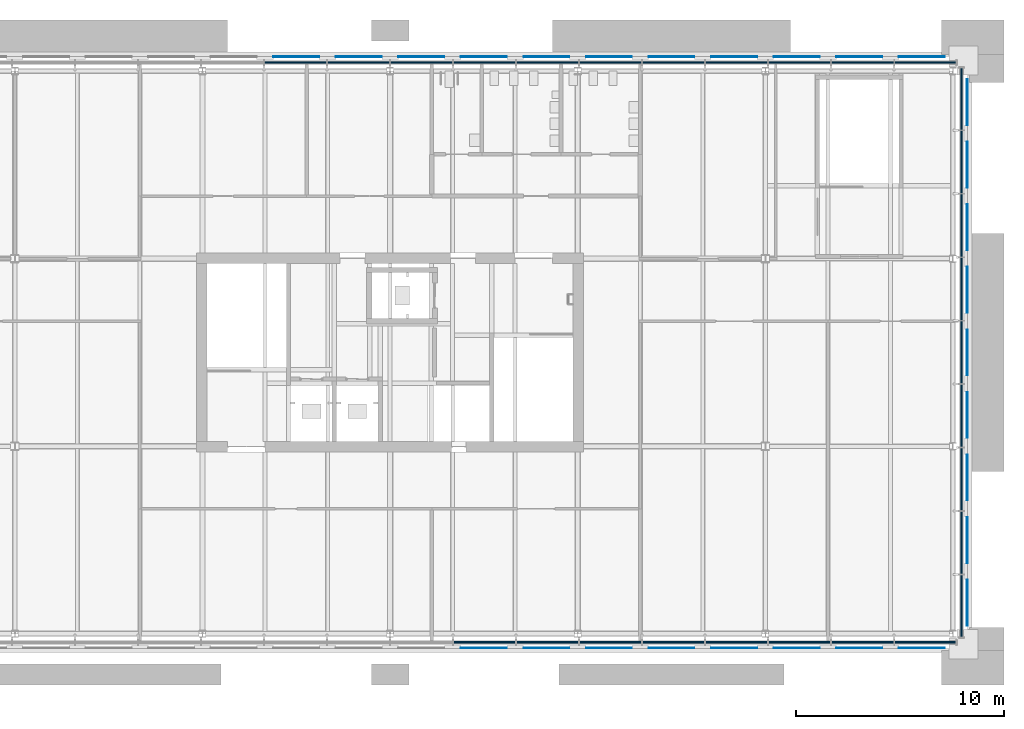
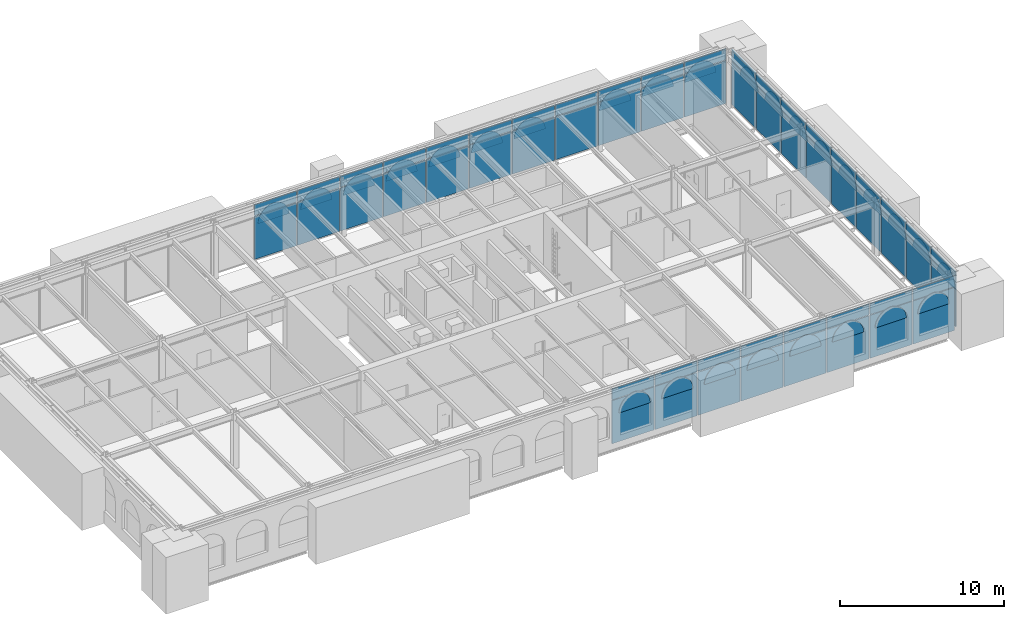
# One storey, part 11 of 24: 84 plates, 3 elements without a shape of their own.
"""IFC4 building model written with IfcOpenShell, lengths in metres."""

from ifc_helpers import new_model, si_unit, direction, frame, origin, origin_2d, place, context, subcontext, project, spatial, polyline, rectangle, outline, extrude, material, layer, layer_set, type_object, element, aggregate, save


model = new_model("IFC4")

# Units and contexts
model_context = context("Model", 3, precision=1e-05, world=origin(), true_north=direction((0.0, 1.0)))
body_context = subcontext(model_context, "Body", "Model", "MODEL_VIEW")
ifc_project = project(units=[si_unit("LENGTHUNIT", "METRE"), si_unit("AREAUNIT", "SQUARE_METRE"), si_unit("VOLUMEUNIT", "CUBIC_METRE"), si_unit("PLANEANGLEUNIT", "RADIAN"), si_unit("MASSUNIT", "GRAM", prefix="KILO")], contexts=[model_context])

# Site, building, storey
site_placement = place(None, origin())
site = spatial("IfcSite", under=ifc_project, at=site_placement, CompositionType="ELEMENT")
building_placement = place(site_placement, origin())
building = spatial("IfcBuilding", under=site, at=building_placement, Name="Baradari Gate Terminus", CompositionType="ELEMENT")
storey_placement = place(building_placement, frame((0.0, 0.0, 32.699951171875)))
storey = spatial("IfcBuildingStorey", under=building, at=storey_placement, Name="L07", CompositionType="ELEMENT", Elevation=32.699951171875)

# Plates
ifc_material_1 = material(Name="Insulating glass unit", Category="glass")
ifc_layer_1 = layer(ifc_material_1, 0.0400390625)
ifc_layer_set_1 = layer_set([ifc_layer_1], Name="Insulating glass unit")
plate_type_1 = type_object("IfcPlateType", Name="Arch head glazing CP-AH 40", PredefinedType="SHEET", material=ifc_layer_set_1)
for number, where, z_axis, x_axis, name in (
    (1, (39.39990234375, 116.320068359375, 2.400146484375), (0.0, 0.0, 1.0), (1.0, 0.0, 0.0), "Arch head glazing CP-AH L07 S face 11"),
    (2, (42.39990234375, 116.320068359375, 2.400146484375), (0.0, 0.0, 1.0), (1.0, 0.0, 0.0), "Arch head glazing CP-AH L07 S face 12"),
    (3, (45.39990234375, 116.320068359375, 2.400146484375), (0.0, 0.0, 1.0), (1.0, 0.0, 0.0), "Arch head glazing CP-AH L07 S face 13"),
    (4, (48.39990234375, 116.320068359375, 2.400146484375), (0.0, 0.0, 1.0), (1.0, 0.0, 0.0), "Arch head glazing CP-AH L07 S face 14"),
    (5, (51.39990234375, 116.320068359375, 2.400146484375), (0.0, 0.0, 1.0), (1.0, 0.0, 0.0), "Arch head glazing CP-AH L07 S face 15"),
    (6, (54.39990234375, 116.320068359375, 2.400146484375), (0.0, 0.0, 1.0), (1.0, 0.0, 0.0), "Arch head glazing CP-AH L07 S face 16"),
    (7, (57.39990234375, 116.320068359375, 2.400146484375), (0.0, 0.0, 1.0), (1.0, 0.0, 0.0), "Arch head glazing CP-AH L07 S face 17"),
    (8, (60.39990234375, 116.320068359375, 2.400146484375), (0.0, 0.0, 1.0), (1.0, 0.0, 0.0), "Arch head glazing CP-AH L07 S face 18"),
    (9, (63.679931640625, 117.39990234375, 2.400146484375), (0.0, 0.0, 1.0), (0.0, 1.0, 0.0), "Arch head glazing CP-AH L07 E face 1"),
    (10, (63.679931640625, 120.39990234375, 2.400146484375), (0.0, 0.0, 1.0), (0.0, 1.0, 0.0), "Arch head glazing CP-AH L07 E face 2"),
    (11, (63.679931640625, 123.39990234375, 2.400146484375), (0.0, 0.0, 1.0), (0.0, 1.0, 0.0), "Arch head glazing CP-AH L07 E face 3"),
    (12, (63.679931640625, 126.39990234375, 2.400146484375), (0.0, 0.0, 1.0), (0.0, 1.0, 0.0), "Arch head glazing CP-AH L07 E face 4"),
    (13, (63.679931640625, 129.39990234375, 2.400146484375), (0.0, 0.0, 1.0), (0.0, 1.0, 0.0), "Arch head glazing CP-AH L07 E face 5"),
    (14, (63.679931640625, 132.39990234375, 2.400146484375), (0.0, 0.0, 1.0), (0.0, 1.0, 0.0), "Arch head glazing CP-AH L07 E face 6"),
    (15, (63.679931640625, 135.39990234375, 2.400146484375), (0.0, 0.0, 1.0), (0.0, 1.0, 0.0), "Arch head glazing CP-AH L07 E face 7"),
    (16, (63.679931640625, 138.39990234375, 2.400146484375), (0.0, 0.0, 1.0), (0.0, 1.0, 0.0), "Arch head glazing CP-AH L07 E face 8"),
    (17, (63.679931640625, 141.39990234375, 2.400146484375), (0.0, 0.0, 1.0), (0.0, 1.0, 0.0), "Arch head glazing CP-AH L07 E face 9"),
    (18, (62.60009765625, 144.679931640625, 2.400146484375), (0.0, 0.0, 1.0), (-1.0, 0.0, 0.0), "Arch head glazing CP-AH L07 N face 1"),
    (19, (59.60009765625, 144.679931640625, 2.400146484375), (0.0, 0.0, 1.0), (-1.0, 0.0, 0.0), "Arch head glazing CP-AH L07 N face 2"),
    (20, (56.60009765625, 144.679931640625, 2.400146484375), (0.0, 0.0, 1.0), (-1.0, 0.0, 0.0), "Arch head glazing CP-AH L07 N face 3"),
    (21, (53.60009765625, 144.679931640625, 2.400146484375), (0.0, 0.0, 1.0), (-1.0, 0.0, 0.0), "Arch head glazing CP-AH L07 N face 4"),
    (22, (50.60009765625, 144.679931640625, 2.400146484375), (0.0, 0.0, 1.0), (-1.0, 0.0, 0.0), "Arch head glazing CP-AH L07 N face 5"),
    (23, (47.60009765625, 144.679931640625, 2.400146484375), (0.0, 0.0, 1.0), (-1.0, 0.0, 0.0), "Arch head glazing CP-AH L07 N face 6"),
    (24, (44.60009765625, 144.679931640625, 2.400146484375), (0.0, 0.0, 1.0), (-1.0, 0.0, 0.0), "Arch head glazing CP-AH L07 N face 7"),
    (25, (41.60009765625, 144.679931640625, 2.400146484375), (0.0, 0.0, 1.0), (-1.0, 0.0, 0.0), "Arch head glazing CP-AH L07 N face 8"),
    (26, (38.60009765625, 144.679931640625, 2.400146484375), (0.0, 0.0, 1.0), (-1.0, 0.0, 0.0), "Arch head glazing CP-AH L07 N face 9"),
    (27, (35.60009765625, 144.679931640625, 2.400146484375), (0.0, 0.0, 1.0), (-1.0, 0.0, 0.0), "Arch head glazing CP-AH L07 N face 10"),
    (28, (32.60009765625, 144.679931640625, 2.400146484375), (0.0, 0.0, 1.0), (-1.0, 0.0, 0.0), "Arch head glazing CP-AH L07 N face 11"),
):
    element("IfcPlate", number, at=place(storey_placement, frame(where, z_axis=z_axis, x_axis=x_axis)), inside=storey, type_object=plate_type_1, Name=name, PredefinedType="SHEET", context=body_context, shape_type="SweptSolid", body=[
        extrude(outline(polyline([(0.0, 0.0), (2.199951171875, 0.0), (2.19091796875, 0.1484375), (2.163330078125, 0.294677734375), (2.1181640625, 0.4365234375), (2.0556640625, 0.57177734375), (1.97705078125, 0.697998046875), (1.88330078125, 0.81396484375), (1.776123046875, 0.917236328125), (1.6572265625, 1.00634765625), (1.52783203125, 1.080322265625), (1.390625, 1.1376953125), (1.247314453125, 1.177734375), (1.10009765625, 1.199951171875), (0.952880859375, 1.177734375), (0.809326171875, 1.1376953125), (0.672119140625, 1.080322265625), (0.54296875, 1.00634765625), (0.423828125, 0.917236328125), (0.316650390625, 0.81396484375), (0.222900390625, 0.697998046875), (0.144287109375, 0.57177734375), (0.08203125, 0.4365234375), (0.03662109375, 0.294677734375), (0.00927734375, 0.1484375), (0.0, 0.0)])), frame((0.0, 0.02001953125, 0.0), z_axis=(0.0, -1.0, 0.0), x_axis=(1.0, 0.0, 0.0)), (0.0, 0.0, 1.0), 0.0400390625),
    ])

# Curtain wall, plates
ifc_material_2 = material(Name="Aluminium 6063-T6", Category="aluminium")
curtain_wall_type = type_object("IfcCurtainWallType", Name="Curtain wall CW-12 block arcade floors, L06-L07", PredefinedType="NOTDEFINED", material=ifc_material_2)
curtain_wall_1_placement = place(storey_placement, origin())
curtain_wall_1 = element("IfcCurtainWall", 29, at=curtain_wall_1_placement, inside=storey, type_object=curtain_wall_type, Name="Curtain wall CW-12 Operations block S face L07", PredefinedType="NOTDEFINED")
ifc_material_3 = material(Name="Insulating glass unit", Category="glass")
ifc_layer_2 = layer(ifc_material_3, 0.06005859375)
ifc_layer_set_2 = layer_set([ifc_layer_2], Name="Insulating glass unit")
plate_type_2 = type_object("IfcPlateType", Name="Curtain wall glazing unit CP-12 60", PredefinedType="CURTAIN_PANEL", material=ifc_layer_set_2)
plate_1_placement = place(storey_placement, frame((40.533447265625, 116.592529296875, 0.06494140625), z_axis=(0.0, 0.0, 1.0), x_axis=(1.0, 0.0, 0.0)))
plate_1 = element("IfcPlate", 30, at=plate_1_placement, type_object=plate_type_2, Name="CW-12 panel 11.1", PredefinedType="CURTAIN_PANEL", context=body_context, shape_type="SweptSolid", body=[
    extrude(rectangle(XDim=2.957275390625, YDim=0.06005859375, at=origin_2d()), origin(), (0.0, 0.0, 1.0), 3.202392578125),
])
plate_2_placement = place(storey_placement, frame((43.5556640625, 116.592529296875, 0.06494140625), z_axis=(0.0, 0.0, 1.0), x_axis=(1.0, 0.0, 0.0)))
plate_2 = element("IfcPlate", 31, at=plate_2_placement, type_object=plate_type_2, Name="CW-12 panel 12.1", PredefinedType="CURTAIN_PANEL", context=body_context, shape_type="SweptSolid", body=[
    extrude(rectangle(XDim=2.957275390625, YDim=0.06005859375, at=origin_2d()), origin(), (0.0, 0.0, 1.0), 3.202392578125),
])
plate_3_placement = place(storey_placement, frame((46.577880859375, 116.592529296875, 0.06494140625), z_axis=(0.0, 0.0, 1.0), x_axis=(1.0, 0.0, 0.0)))
plate_3 = element("IfcPlate", 32, at=plate_3_placement, type_object=plate_type_2, Name="CW-12 panel 13.1", PredefinedType="CURTAIN_PANEL", context=body_context, shape_type="SweptSolid", body=[
    extrude(rectangle(XDim=2.957275390625, YDim=0.06005859375, at=origin_2d()), origin(), (0.0, 0.0, 1.0), 3.202392578125),
])
plate_4_placement = place(storey_placement, frame((49.60009765625, 116.592529296875, 0.06494140625), z_axis=(0.0, 0.0, 1.0), x_axis=(1.0, 0.0, 0.0)))
plate_4 = element("IfcPlate", 33, at=plate_4_placement, type_object=plate_type_2, Name="CW-12 panel 14.1", PredefinedType="CURTAIN_PANEL", context=body_context, shape_type="SweptSolid", body=[
    extrude(rectangle(XDim=2.957275390625, YDim=0.06005859375, at=origin_2d()), origin(), (0.0, 0.0, 1.0), 3.202392578125),
])
plate_5_placement = place(storey_placement, frame((52.622314453125, 116.592529296875, 0.06494140625), z_axis=(0.0, 0.0, 1.0), x_axis=(1.0, 0.0, 0.0)))
plate_5 = element("IfcPlate", 34, at=plate_5_placement, type_object=plate_type_2, Name="CW-12 panel 15.1", PredefinedType="CURTAIN_PANEL", context=body_context, shape_type="SweptSolid", body=[
    extrude(rectangle(XDim=2.957275390625, YDim=0.06005859375, at=origin_2d()), origin(), (0.0, 0.0, 1.0), 3.202392578125),
])
plate_6_placement = place(storey_placement, frame((55.64453125, 116.592529296875, 0.06494140625), z_axis=(0.0, 0.0, 1.0), x_axis=(1.0, 0.0, 0.0)))
plate_6 = element("IfcPlate", 35, at=plate_6_placement, type_object=plate_type_2, Name="CW-12 panel 16.1", PredefinedType="CURTAIN_PANEL", context=body_context, shape_type="SweptSolid", body=[
    extrude(rectangle(XDim=2.957275390625, YDim=0.06005859375, at=origin_2d()), origin(), (0.0, 0.0, 1.0), 3.202392578125),
])
plate_7_placement = place(storey_placement, frame((58.666748046875, 116.592529296875, 0.06494140625), z_axis=(0.0, 0.0, 1.0), x_axis=(1.0, 0.0, 0.0)))
plate_7 = element("IfcPlate", 36, at=plate_7_placement, type_object=plate_type_2, Name="CW-12 panel 17.1", PredefinedType="CURTAIN_PANEL", context=body_context, shape_type="SweptSolid", body=[
    extrude(rectangle(XDim=2.957275390625, YDim=0.06005859375, at=origin_2d()), origin(), (0.0, 0.0, 1.0), 3.202392578125),
])
plate_8_placement = place(storey_placement, frame((61.672607421875, 116.592529296875, 0.06494140625), z_axis=(0.0, 0.0, 1.0), x_axis=(1.0, 0.0, 0.0)))
plate_8 = element("IfcPlate", 37, at=plate_8_placement, type_object=plate_type_2, Name="CW-12 panel 18.1", PredefinedType="CURTAIN_PANEL", context=body_context, shape_type="SweptSolid", body=[
    extrude(rectangle(XDim=2.9248046875, YDim=0.06005859375, at=origin_2d()), origin(), (0.0, 0.0, 1.0), 3.202392578125),
])

curtain_wall_2_placement = place(storey_placement, origin())
curtain_wall_2 = element("IfcCurtainWall", 38, at=curtain_wall_2_placement, inside=storey, type_object=curtain_wall_type, Name="Curtain wall CW-12 Operations block E face L07", PredefinedType="NOTDEFINED")
plate_9_placement = place(storey_placement, frame((63.407470703125, 118.33837890625, 0.06494140625), z_axis=(0.0, 0.0, 1.0), x_axis=(0.0, 1.0, 0.0)))
plate_9 = element("IfcPlate", 39, at=plate_9_placement, type_object=plate_type_2, Name="CW-12 panel 1.1", PredefinedType="CURTAIN_PANEL", context=body_context, shape_type="SweptSolid", body=[
    extrude(rectangle(XDim=2.947021484375, YDim=0.06005859375, at=origin_2d()), origin(), (0.0, 0.0, 1.0), 3.202392578125),
])
plate_10_placement = place(storey_placement, frame((63.407470703125, 121.36669921875, 0.06494140625), z_axis=(0.0, 0.0, 1.0), x_axis=(0.0, 1.0, 0.0)))
plate_10 = element("IfcPlate", 40, at=plate_10_placement, type_object=plate_type_2, Name="CW-12 panel 2.1", PredefinedType="CURTAIN_PANEL", context=body_context, shape_type="SweptSolid", body=[
    extrude(rectangle(XDim=2.9794921875, YDim=0.06005859375, at=origin_2d()), origin(), (0.0, 0.0, 1.0), 3.202392578125),
])
plate_11_placement = place(storey_placement, frame((63.407470703125, 124.4111328125, 0.06494140625), z_axis=(0.0, 0.0, 1.0), x_axis=(0.0, 1.0, 0.0)))
plate_11 = element("IfcPlate", 41, at=plate_11_placement, type_object=plate_type_2, Name="CW-12 panel 3.1", PredefinedType="CURTAIN_PANEL", context=body_context, shape_type="SweptSolid", body=[
    extrude(rectangle(XDim=2.9794921875, YDim=0.06005859375, at=origin_2d()), origin(), (0.0, 0.0, 1.0), 3.202392578125),
])
plate_12_placement = place(storey_placement, frame((63.407470703125, 127.45556640625, 0.06494140625), z_axis=(0.0, 0.0, 1.0), x_axis=(0.0, 1.0, 0.0)))
plate_12 = element("IfcPlate", 42, at=plate_12_placement, type_object=plate_type_2, Name="CW-12 panel 4.1", PredefinedType="CURTAIN_PANEL", context=body_context, shape_type="SweptSolid", body=[
    extrude(rectangle(XDim=2.9794921875, YDim=0.06005859375, at=origin_2d()), origin(), (0.0, 0.0, 1.0), 3.202392578125),
])
plate_13_placement = place(storey_placement, frame((63.407470703125, 130.5, 0.06494140625), z_axis=(0.0, 0.0, 1.0), x_axis=(0.0, 1.0, 0.0)))
plate_13 = element("IfcPlate", 43, at=plate_13_placement, type_object=plate_type_2, Name="CW-12 panel 5.1", PredefinedType="CURTAIN_PANEL", context=body_context, shape_type="SweptSolid", body=[
    extrude(rectangle(XDim=2.9794921875, YDim=0.06005859375, at=origin_2d()), origin(), (0.0, 0.0, 1.0), 3.202392578125),
])
plate_14_placement = place(storey_placement, frame((63.407470703125, 133.54443359375, 0.06494140625), z_axis=(0.0, 0.0, 1.0), x_axis=(0.0, 1.0, 0.0)))
plate_14 = element("IfcPlate", 44, at=plate_14_placement, type_object=plate_type_2, Name="CW-12 panel 6.1", PredefinedType="CURTAIN_PANEL", context=body_context, shape_type="SweptSolid", body=[
    extrude(rectangle(XDim=2.9794921875, YDim=0.06005859375, at=origin_2d()), origin(), (0.0, 0.0, 1.0), 3.202392578125),
])
plate_15_placement = place(storey_placement, frame((63.407470703125, 136.5888671875, 0.06494140625), z_axis=(0.0, 0.0, 1.0), x_axis=(0.0, 1.0, 0.0)))
plate_15 = element("IfcPlate", 45, at=plate_15_placement, type_object=plate_type_2, Name="CW-12 panel 7.1", PredefinedType="CURTAIN_PANEL", context=body_context, shape_type="SweptSolid", body=[
    extrude(rectangle(XDim=2.9794921875, YDim=0.06005859375, at=origin_2d()), origin(), (0.0, 0.0, 1.0), 3.202392578125),
])
plate_16_placement = place(storey_placement, frame((63.407470703125, 139.63330078125, 0.06494140625), z_axis=(0.0, 0.0, 1.0), x_axis=(0.0, 1.0, 0.0)))
plate_16 = element("IfcPlate", 46, at=plate_16_placement, type_object=plate_type_2, Name="CW-12 panel 8.1", PredefinedType="CURTAIN_PANEL", context=body_context, shape_type="SweptSolid", body=[
    extrude(rectangle(XDim=2.9794921875, YDim=0.06005859375, at=origin_2d()), origin(), (0.0, 0.0, 1.0), 3.202392578125),
])
plate_17_placement = place(storey_placement, frame((63.407470703125, 142.66162109375, 0.06494140625), z_axis=(0.0, 0.0, 1.0), x_axis=(0.0, 1.0, 0.0)))
plate_17 = element("IfcPlate", 47, at=plate_17_placement, type_object=plate_type_2, Name="CW-12 panel 9.1", PredefinedType="CURTAIN_PANEL", context=body_context, shape_type="SweptSolid", body=[
    extrude(rectangle(XDim=2.947021484375, YDim=0.06005859375, at=origin_2d()), origin(), (0.0, 0.0, 1.0), 3.202392578125),
])

curtain_wall_3_placement = place(storey_placement, origin())
curtain_wall_3 = element("IfcCurtainWall", 48, at=curtain_wall_3_placement, inside=storey, type_object=curtain_wall_type, Name="Curtain wall CW-12 Operations block N face L07", PredefinedType="NOTDEFINED")
plate_18_placement = place(storey_placement, frame((61.672607421875, 144.407470703125, 0.06494140625), z_axis=(0.0, 0.0, 1.0), x_axis=(-1.0, 0.0, 0.0)))
plate_18 = element("IfcPlate", 49, at=plate_18_placement, type_object=plate_type_2, Name="CW-12 panel 1.1", PredefinedType="CURTAIN_PANEL", context=body_context, shape_type="SweptSolid", body=[
    extrude(rectangle(XDim=2.9248046875, YDim=0.06005859375, at=origin_2d()), origin(), (0.0, 0.0, 1.0), 3.202392578125),
])
plate_19_placement = place(storey_placement, frame((58.666748046875, 144.407470703125, 0.06494140625), z_axis=(0.0, 0.0, 1.0), x_axis=(-1.0, 0.0, 0.0)))
plate_19 = element("IfcPlate", 50, at=plate_19_placement, type_object=plate_type_2, Name="CW-12 panel 2.1", PredefinedType="CURTAIN_PANEL", context=body_context, shape_type="SweptSolid", body=[
    extrude(rectangle(XDim=2.957275390625, YDim=0.06005859375, at=origin_2d()), origin(), (0.0, 0.0, 1.0), 3.202392578125),
])
plate_20_placement = place(storey_placement, frame((55.64453125, 144.407470703125, 0.06494140625), z_axis=(0.0, 0.0, 1.0), x_axis=(-1.0, 0.0, 0.0)))
plate_20 = element("IfcPlate", 51, at=plate_20_placement, type_object=plate_type_2, Name="CW-12 panel 3.1", PredefinedType="CURTAIN_PANEL", context=body_context, shape_type="SweptSolid", body=[
    extrude(rectangle(XDim=2.957275390625, YDim=0.06005859375, at=origin_2d()), origin(), (0.0, 0.0, 1.0), 3.202392578125),
])
plate_21_placement = place(storey_placement, frame((52.622314453125, 144.407470703125, 0.06494140625), z_axis=(0.0, 0.0, 1.0), x_axis=(-1.0, 0.0, 0.0)))
plate_21 = element("IfcPlate", 52, at=plate_21_placement, type_object=plate_type_2, Name="CW-12 panel 4.1", PredefinedType="CURTAIN_PANEL", context=body_context, shape_type="SweptSolid", body=[
    extrude(rectangle(XDim=2.957275390625, YDim=0.06005859375, at=origin_2d()), origin(), (0.0, 0.0, 1.0), 3.202392578125),
])
plate_22_placement = place(storey_placement, frame((49.60009765625, 144.407470703125, 0.06494140625), z_axis=(0.0, 0.0, 1.0), x_axis=(-1.0, 0.0, 0.0)))
plate_22 = element("IfcPlate", 53, at=plate_22_placement, type_object=plate_type_2, Name="CW-12 panel 5.1", PredefinedType="CURTAIN_PANEL", context=body_context, shape_type="SweptSolid", body=[
    extrude(rectangle(XDim=2.957275390625, YDim=0.06005859375, at=origin_2d()), origin(), (0.0, 0.0, 1.0), 3.202392578125),
])
plate_23_placement = place(storey_placement, frame((46.577880859375, 144.407470703125, 0.06494140625), z_axis=(0.0, 0.0, 1.0), x_axis=(-1.0, 0.0, 0.0)))
plate_23 = element("IfcPlate", 54, at=plate_23_placement, type_object=plate_type_2, Name="CW-12 panel 6.1", PredefinedType="CURTAIN_PANEL", context=body_context, shape_type="SweptSolid", body=[
    extrude(rectangle(XDim=2.957275390625, YDim=0.06005859375, at=origin_2d()), origin(), (0.0, 0.0, 1.0), 3.202392578125),
])
plate_24_placement = place(storey_placement, frame((43.5556640625, 144.407470703125, 0.06494140625), z_axis=(0.0, 0.0, 1.0), x_axis=(-1.0, 0.0, 0.0)))
plate_24 = element("IfcPlate", 55, at=plate_24_placement, type_object=plate_type_2, Name="CW-12 panel 7.1", PredefinedType="CURTAIN_PANEL", context=body_context, shape_type="SweptSolid", body=[
    extrude(rectangle(XDim=2.957275390625, YDim=0.06005859375, at=origin_2d()), origin(), (0.0, 0.0, 1.0), 3.202392578125),
])
plate_25_placement = place(storey_placement, frame((40.533447265625, 144.407470703125, 0.06494140625), z_axis=(0.0, 0.0, 1.0), x_axis=(-1.0, 0.0, 0.0)))
plate_25 = element("IfcPlate", 56, at=plate_25_placement, type_object=plate_type_2, Name="CW-12 panel 8.1", PredefinedType="CURTAIN_PANEL", context=body_context, shape_type="SweptSolid", body=[
    extrude(rectangle(XDim=2.957275390625, YDim=0.06005859375, at=origin_2d()), origin(), (0.0, 0.0, 1.0), 3.202392578125),
])
plate_26_placement = place(storey_placement, frame((37.51123046875, 144.407470703125, 0.06494140625), z_axis=(0.0, 0.0, 1.0), x_axis=(-1.0, 0.0, 0.0)))
plate_26 = element("IfcPlate", 57, at=plate_26_placement, type_object=plate_type_2, Name="CW-12 panel 9.1", PredefinedType="CURTAIN_PANEL", context=body_context, shape_type="SweptSolid", body=[
    extrude(rectangle(XDim=2.957275390625, YDim=0.06005859375, at=origin_2d()), origin(), (0.0, 0.0, 1.0), 3.202392578125),
])
plate_27_placement = place(storey_placement, frame((34.48876953125, 144.407470703125, 0.06494140625), z_axis=(0.0, 0.0, 1.0), x_axis=(-1.0, 0.0, 0.0)))
plate_27 = element("IfcPlate", 58, at=plate_27_placement, type_object=plate_type_2, Name="CW-12 panel 10.1", PredefinedType="CURTAIN_PANEL", context=body_context, shape_type="SweptSolid", body=[
    extrude(rectangle(XDim=2.957275390625, YDim=0.06005859375, at=origin_2d()), origin(), (0.0, 0.0, 1.0), 3.202392578125),
])
plate_28_placement = place(storey_placement, frame((31.466552734375, 144.407470703125, 0.06494140625), z_axis=(0.0, 0.0, 1.0), x_axis=(-1.0, 0.0, 0.0)))
plate_28 = element("IfcPlate", 59, at=plate_28_placement, type_object=plate_type_2, Name="CW-12 panel 11.1", PredefinedType="CURTAIN_PANEL", context=body_context, shape_type="SweptSolid", body=[
    extrude(rectangle(XDim=2.957275390625, YDim=0.06005859375, at=origin_2d()), origin(), (0.0, 0.0, 1.0), 3.202392578125),
])

# Plate
ifc_material_4 = material(Name="Back-painted glass", Category="glass")
ifc_layer_3 = layer(ifc_material_4, 0.090087890625)
ifc_layer_set_3 = layer_set([ifc_layer_3], Name="Back-painted glass")
plate_type_3 = type_object("IfcPlateType", Name="Curtain wall spandrel panel CP-S12 90", PredefinedType="CURTAIN_PANEL", material=ifc_layer_set_3)
plate_29_placement = place(storey_placement, frame((40.533447265625, 116.592529296875, 3.33251953125), z_axis=(0.0, 0.0, 1.0), x_axis=(1.0, 0.0, 0.0)))
plate_29 = element("IfcPlate", 60, at=plate_29_placement, type_object=plate_type_3, Name="CW-12 spandrel panel 11.2", PredefinedType="CURTAIN_PANEL", context=body_context, shape_type="SweptSolid", body=[
    extrude(rectangle(XDim=2.957275390625, YDim=0.090087890625, at=origin_2d()), origin(), (0.0, 0.0, 1.0), 0.802490234375),
])

plate_30_placement = place(storey_placement, frame((43.5556640625, 116.592529296875, 3.33251953125), z_axis=(0.0, 0.0, 1.0), x_axis=(1.0, 0.0, 0.0)))
plate_30 = element("IfcPlate", 61, at=plate_30_placement, type_object=plate_type_3, Name="CW-12 spandrel panel 12.2", PredefinedType="CURTAIN_PANEL", context=body_context, shape_type="SweptSolid", body=[
    extrude(rectangle(XDim=2.957275390625, YDim=0.090087890625, at=origin_2d()), origin(), (0.0, 0.0, 1.0), 0.802490234375),
])

plate_31_placement = place(storey_placement, frame((46.577880859375, 116.592529296875, 3.33251953125), z_axis=(0.0, 0.0, 1.0), x_axis=(1.0, 0.0, 0.0)))
plate_31 = element("IfcPlate", 62, at=plate_31_placement, type_object=plate_type_3, Name="CW-12 spandrel panel 13.2", PredefinedType="CURTAIN_PANEL", context=body_context, shape_type="SweptSolid", body=[
    extrude(rectangle(XDim=2.957275390625, YDim=0.090087890625, at=origin_2d()), origin(), (0.0, 0.0, 1.0), 0.802490234375),
])

plate_32_placement = place(storey_placement, frame((49.60009765625, 116.592529296875, 3.33251953125), z_axis=(0.0, 0.0, 1.0), x_axis=(1.0, 0.0, 0.0)))
plate_32 = element("IfcPlate", 63, at=plate_32_placement, type_object=plate_type_3, Name="CW-12 spandrel panel 14.2", PredefinedType="CURTAIN_PANEL", context=body_context, shape_type="SweptSolid", body=[
    extrude(rectangle(XDim=2.957275390625, YDim=0.090087890625, at=origin_2d()), origin(), (0.0, 0.0, 1.0), 0.802490234375),
])

plate_33_placement = place(storey_placement, frame((52.622314453125, 116.592529296875, 3.33251953125), z_axis=(0.0, 0.0, 1.0), x_axis=(1.0, 0.0, 0.0)))
plate_33 = element("IfcPlate", 64, at=plate_33_placement, type_object=plate_type_3, Name="CW-12 spandrel panel 15.2", PredefinedType="CURTAIN_PANEL", context=body_context, shape_type="SweptSolid", body=[
    extrude(rectangle(XDim=2.957275390625, YDim=0.090087890625, at=origin_2d()), origin(), (0.0, 0.0, 1.0), 0.802490234375),
])

plate_34_placement = place(storey_placement, frame((55.64453125, 116.592529296875, 3.33251953125), z_axis=(0.0, 0.0, 1.0), x_axis=(1.0, 0.0, 0.0)))
plate_34 = element("IfcPlate", 65, at=plate_34_placement, type_object=plate_type_3, Name="CW-12 spandrel panel 16.2", PredefinedType="CURTAIN_PANEL", context=body_context, shape_type="SweptSolid", body=[
    extrude(rectangle(XDim=2.957275390625, YDim=0.090087890625, at=origin_2d()), origin(), (0.0, 0.0, 1.0), 0.802490234375),
])

plate_35_placement = place(storey_placement, frame((58.666748046875, 116.592529296875, 3.33251953125), z_axis=(0.0, 0.0, 1.0), x_axis=(1.0, 0.0, 0.0)))
plate_35 = element("IfcPlate", 66, at=plate_35_placement, type_object=plate_type_3, Name="CW-12 spandrel panel 17.2", PredefinedType="CURTAIN_PANEL", context=body_context, shape_type="SweptSolid", body=[
    extrude(rectangle(XDim=2.957275390625, YDim=0.090087890625, at=origin_2d()), origin(), (0.0, 0.0, 1.0), 0.802490234375),
])

plate_36_placement = place(storey_placement, frame((61.672607421875, 116.592529296875, 3.33251953125), z_axis=(0.0, 0.0, 1.0), x_axis=(1.0, 0.0, 0.0)))
plate_36 = element("IfcPlate", 67, at=plate_36_placement, type_object=plate_type_3, Name="CW-12 spandrel panel 18.2", PredefinedType="CURTAIN_PANEL", context=body_context, shape_type="SweptSolid", body=[
    extrude(rectangle(XDim=2.9248046875, YDim=0.090087890625, at=origin_2d()), origin(), (0.0, 0.0, 1.0), 0.802490234375),
])

aggregate(curtain_wall_1, [plate_1, plate_29, plate_2, plate_30, plate_3, plate_31, plate_4, plate_32, plate_5, plate_33, plate_6, plate_34, plate_7, plate_35, plate_8, plate_36])

plate_37_placement = place(storey_placement, frame((63.407470703125, 118.33837890625, 3.33251953125), z_axis=(0.0, 0.0, 1.0), x_axis=(0.0, 1.0, 0.0)))
plate_37 = element("IfcPlate", 68, at=plate_37_placement, type_object=plate_type_3, Name="CW-12 spandrel panel 1.2", PredefinedType="CURTAIN_PANEL", context=body_context, shape_type="SweptSolid", body=[
    extrude(rectangle(XDim=2.947021484375, YDim=0.090087890625, at=origin_2d()), origin(), (0.0, 0.0, 1.0), 0.802490234375),
])

plate_38_placement = place(storey_placement, frame((63.407470703125, 121.36669921875, 3.33251953125), z_axis=(0.0, 0.0, 1.0), x_axis=(0.0, 1.0, 0.0)))
plate_38 = element("IfcPlate", 69, at=plate_38_placement, type_object=plate_type_3, Name="CW-12 spandrel panel 2.2", PredefinedType="CURTAIN_PANEL", context=body_context, shape_type="SweptSolid", body=[
    extrude(rectangle(XDim=2.9794921875, YDim=0.090087890625, at=origin_2d()), origin(), (0.0, 0.0, 1.0), 0.802490234375),
])

plate_39_placement = place(storey_placement, frame((63.407470703125, 124.4111328125, 3.33251953125), z_axis=(0.0, 0.0, 1.0), x_axis=(0.0, 1.0, 0.0)))
plate_39 = element("IfcPlate", 70, at=plate_39_placement, type_object=plate_type_3, Name="CW-12 spandrel panel 3.2", PredefinedType="CURTAIN_PANEL", context=body_context, shape_type="SweptSolid", body=[
    extrude(rectangle(XDim=2.9794921875, YDim=0.090087890625, at=origin_2d()), origin(), (0.0, 0.0, 1.0), 0.802490234375),
])

plate_40_placement = place(storey_placement, frame((63.407470703125, 127.45556640625, 3.33251953125), z_axis=(0.0, 0.0, 1.0), x_axis=(0.0, 1.0, 0.0)))
plate_40 = element("IfcPlate", 71, at=plate_40_placement, type_object=plate_type_3, Name="CW-12 spandrel panel 4.2", PredefinedType="CURTAIN_PANEL", context=body_context, shape_type="SweptSolid", body=[
    extrude(rectangle(XDim=2.9794921875, YDim=0.090087890625, at=origin_2d()), origin(), (0.0, 0.0, 1.0), 0.802490234375),
])

plate_41_placement = place(storey_placement, frame((63.407470703125, 130.5, 3.33251953125), z_axis=(0.0, 0.0, 1.0), x_axis=(0.0, 1.0, 0.0)))
plate_41 = element("IfcPlate", 72, at=plate_41_placement, type_object=plate_type_3, Name="CW-12 spandrel panel 5.2", PredefinedType="CURTAIN_PANEL", context=body_context, shape_type="SweptSolid", body=[
    extrude(rectangle(XDim=2.9794921875, YDim=0.090087890625, at=origin_2d()), origin(), (0.0, 0.0, 1.0), 0.802490234375),
])

plate_42_placement = place(storey_placement, frame((63.407470703125, 133.54443359375, 3.33251953125), z_axis=(0.0, 0.0, 1.0), x_axis=(0.0, 1.0, 0.0)))
plate_42 = element("IfcPlate", 73, at=plate_42_placement, type_object=plate_type_3, Name="CW-12 spandrel panel 6.2", PredefinedType="CURTAIN_PANEL", context=body_context, shape_type="SweptSolid", body=[
    extrude(rectangle(XDim=2.9794921875, YDim=0.090087890625, at=origin_2d()), origin(), (0.0, 0.0, 1.0), 0.802490234375),
])

plate_43_placement = place(storey_placement, frame((63.407470703125, 136.5888671875, 3.33251953125), z_axis=(0.0, 0.0, 1.0), x_axis=(0.0, 1.0, 0.0)))
plate_43 = element("IfcPlate", 74, at=plate_43_placement, type_object=plate_type_3, Name="CW-12 spandrel panel 7.2", PredefinedType="CURTAIN_PANEL", context=body_context, shape_type="SweptSolid", body=[
    extrude(rectangle(XDim=2.9794921875, YDim=0.090087890625, at=origin_2d()), origin(), (0.0, 0.0, 1.0), 0.802490234375),
])

plate_44_placement = place(storey_placement, frame((63.407470703125, 139.63330078125, 3.33251953125), z_axis=(0.0, 0.0, 1.0), x_axis=(0.0, 1.0, 0.0)))
plate_44 = element("IfcPlate", 75, at=plate_44_placement, type_object=plate_type_3, Name="CW-12 spandrel panel 8.2", PredefinedType="CURTAIN_PANEL", context=body_context, shape_type="SweptSolid", body=[
    extrude(rectangle(XDim=2.9794921875, YDim=0.090087890625, at=origin_2d()), origin(), (0.0, 0.0, 1.0), 0.802490234375),
])

plate_45_placement = place(storey_placement, frame((63.407470703125, 142.66162109375, 3.33251953125), z_axis=(0.0, 0.0, 1.0), x_axis=(0.0, 1.0, 0.0)))
plate_45 = element("IfcPlate", 76, at=plate_45_placement, type_object=plate_type_3, Name="CW-12 spandrel panel 9.2", PredefinedType="CURTAIN_PANEL", context=body_context, shape_type="SweptSolid", body=[
    extrude(rectangle(XDim=2.947021484375, YDim=0.090087890625, at=origin_2d()), origin(), (0.0, 0.0, 1.0), 0.802490234375),
])

aggregate(curtain_wall_2, [plate_9, plate_37, plate_10, plate_38, plate_11, plate_39, plate_12, plate_40, plate_13, plate_41, plate_14, plate_42, plate_15, plate_43, plate_16, plate_44, plate_17, plate_45])

plate_46_placement = place(storey_placement, frame((61.672607421875, 144.407470703125, 3.33251953125), z_axis=(0.0, 0.0, 1.0), x_axis=(-1.0, 0.0, 0.0)))
plate_46 = element("IfcPlate", 77, at=plate_46_placement, type_object=plate_type_3, Name="CW-12 spandrel panel 1.2", PredefinedType="CURTAIN_PANEL", context=body_context, shape_type="SweptSolid", body=[
    extrude(rectangle(XDim=2.9248046875, YDim=0.090087890625, at=origin_2d()), origin(), (0.0, 0.0, 1.0), 0.802490234375),
])

plate_47_placement = place(storey_placement, frame((58.666748046875, 144.407470703125, 3.33251953125), z_axis=(0.0, 0.0, 1.0), x_axis=(-1.0, 0.0, 0.0)))
plate_47 = element("IfcPlate", 78, at=plate_47_placement, type_object=plate_type_3, Name="CW-12 spandrel panel 2.2", PredefinedType="CURTAIN_PANEL", context=body_context, shape_type="SweptSolid", body=[
    extrude(rectangle(XDim=2.957275390625, YDim=0.090087890625, at=origin_2d()), origin(), (0.0, 0.0, 1.0), 0.802490234375),
])

plate_48_placement = place(storey_placement, frame((55.64453125, 144.407470703125, 3.33251953125), z_axis=(0.0, 0.0, 1.0), x_axis=(-1.0, 0.0, 0.0)))
plate_48 = element("IfcPlate", 79, at=plate_48_placement, type_object=plate_type_3, Name="CW-12 spandrel panel 3.2", PredefinedType="CURTAIN_PANEL", context=body_context, shape_type="SweptSolid", body=[
    extrude(rectangle(XDim=2.957275390625, YDim=0.090087890625, at=origin_2d()), origin(), (0.0, 0.0, 1.0), 0.802490234375),
])

plate_49_placement = place(storey_placement, frame((52.622314453125, 144.407470703125, 3.33251953125), z_axis=(0.0, 0.0, 1.0), x_axis=(-1.0, 0.0, 0.0)))
plate_49 = element("IfcPlate", 80, at=plate_49_placement, type_object=plate_type_3, Name="CW-12 spandrel panel 4.2", PredefinedType="CURTAIN_PANEL", context=body_context, shape_type="SweptSolid", body=[
    extrude(rectangle(XDim=2.957275390625, YDim=0.090087890625, at=origin_2d()), origin(), (0.0, 0.0, 1.0), 0.802490234375),
])

plate_50_placement = place(storey_placement, frame((49.60009765625, 144.407470703125, 3.33251953125), z_axis=(0.0, 0.0, 1.0), x_axis=(-1.0, 0.0, 0.0)))
plate_50 = element("IfcPlate", 81, at=plate_50_placement, type_object=plate_type_3, Name="CW-12 spandrel panel 5.2", PredefinedType="CURTAIN_PANEL", context=body_context, shape_type="SweptSolid", body=[
    extrude(rectangle(XDim=2.957275390625, YDim=0.090087890625, at=origin_2d()), origin(), (0.0, 0.0, 1.0), 0.802490234375),
])

plate_51_placement = place(storey_placement, frame((46.577880859375, 144.407470703125, 3.33251953125), z_axis=(0.0, 0.0, 1.0), x_axis=(-1.0, 0.0, 0.0)))
plate_51 = element("IfcPlate", 82, at=plate_51_placement, type_object=plate_type_3, Name="CW-12 spandrel panel 6.2", PredefinedType="CURTAIN_PANEL", context=body_context, shape_type="SweptSolid", body=[
    extrude(rectangle(XDim=2.957275390625, YDim=0.090087890625, at=origin_2d()), origin(), (0.0, 0.0, 1.0), 0.802490234375),
])

plate_52_placement = place(storey_placement, frame((43.5556640625, 144.407470703125, 3.33251953125), z_axis=(0.0, 0.0, 1.0), x_axis=(-1.0, 0.0, 0.0)))
plate_52 = element("IfcPlate", 83, at=plate_52_placement, type_object=plate_type_3, Name="CW-12 spandrel panel 7.2", PredefinedType="CURTAIN_PANEL", context=body_context, shape_type="SweptSolid", body=[
    extrude(rectangle(XDim=2.957275390625, YDim=0.090087890625, at=origin_2d()), origin(), (0.0, 0.0, 1.0), 0.802490234375),
])

plate_53_placement = place(storey_placement, frame((40.533447265625, 144.407470703125, 3.33251953125), z_axis=(0.0, 0.0, 1.0), x_axis=(-1.0, 0.0, 0.0)))
plate_53 = element("IfcPlate", 84, at=plate_53_placement, type_object=plate_type_3, Name="CW-12 spandrel panel 8.2", PredefinedType="CURTAIN_PANEL", context=body_context, shape_type="SweptSolid", body=[
    extrude(rectangle(XDim=2.957275390625, YDim=0.090087890625, at=origin_2d()), origin(), (0.0, 0.0, 1.0), 0.802490234375),
])

plate_54_placement = place(storey_placement, frame((37.51123046875, 144.407470703125, 3.33251953125), z_axis=(0.0, 0.0, 1.0), x_axis=(-1.0, 0.0, 0.0)))
plate_54 = element("IfcPlate", 85, at=plate_54_placement, type_object=plate_type_3, Name="CW-12 spandrel panel 9.2", PredefinedType="CURTAIN_PANEL", context=body_context, shape_type="SweptSolid", body=[
    extrude(rectangle(XDim=2.957275390625, YDim=0.090087890625, at=origin_2d()), origin(), (0.0, 0.0, 1.0), 0.802490234375),
])

plate_55_placement = place(storey_placement, frame((34.48876953125, 144.407470703125, 3.33251953125), z_axis=(0.0, 0.0, 1.0), x_axis=(-1.0, 0.0, 0.0)))
plate_55 = element("IfcPlate", 86, at=plate_55_placement, type_object=plate_type_3, Name="CW-12 spandrel panel 10.2", PredefinedType="CURTAIN_PANEL", context=body_context, shape_type="SweptSolid", body=[
    extrude(rectangle(XDim=2.957275390625, YDim=0.090087890625, at=origin_2d()), origin(), (0.0, 0.0, 1.0), 0.802490234375),
])

plate_56_placement = place(storey_placement, frame((31.466552734375, 144.407470703125, 3.33251953125), z_axis=(0.0, 0.0, 1.0), x_axis=(-1.0, 0.0, 0.0)))
plate_56 = element("IfcPlate", 87, at=plate_56_placement, type_object=plate_type_3, Name="CW-12 spandrel panel 11.2", PredefinedType="CURTAIN_PANEL", context=body_context, shape_type="SweptSolid", body=[
    extrude(rectangle(XDim=2.957275390625, YDim=0.090087890625, at=origin_2d()), origin(), (0.0, 0.0, 1.0), 0.802490234375),
])

aggregate(curtain_wall_3, [plate_18, plate_46, plate_19, plate_47, plate_20, plate_48, plate_21, plate_49, plate_22, plate_50, plate_23, plate_51, plate_24, plate_52, plate_25, plate_53, plate_26, plate_54, plate_27, plate_55, plate_28, plate_56])

save(model, "model.ifc")
